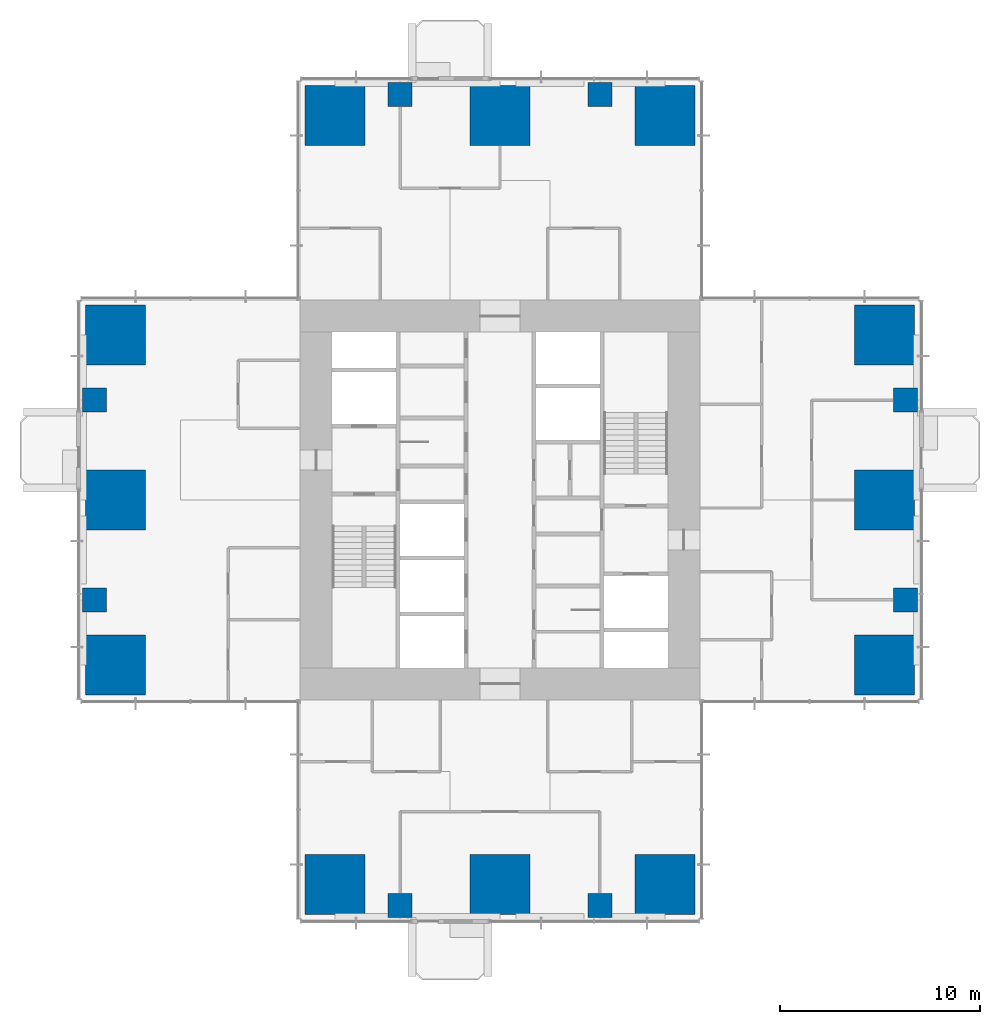
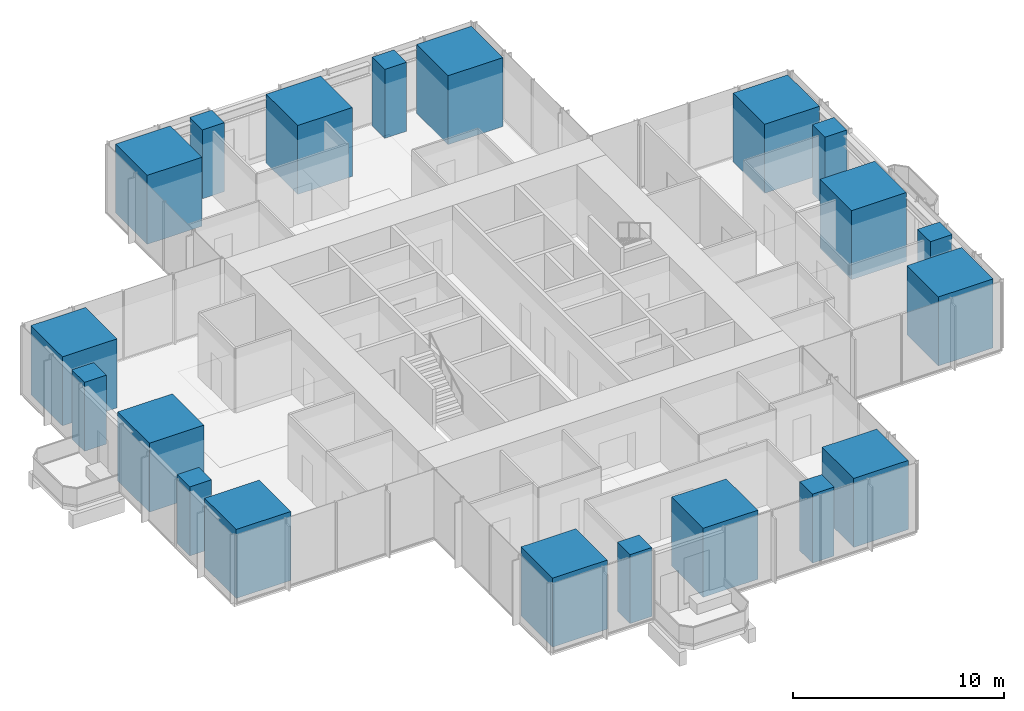
# One storey, part 1 of 13: 20 columns.
"""IFC4 building model written with IfcOpenShell, lengths in metres."""

from ifc_helpers import new_model, si_unit, direction, frame, origin, origin_2d, place, context, subcontext, project, spatial, rectangle, extrude, material, material_profile, profile_set, type_object, element, save


model = new_model("IFC4")

# Units and contexts
model_context = context("Model", 3, precision=1e-05, world=origin(), true_north=direction((0.0, 1.0)))
body_context = subcontext(model_context, "Body", "Model", "MODEL_VIEW")
ifc_project = project(units=[si_unit("LENGTHUNIT", "METRE"), si_unit("AREAUNIT", "SQUARE_METRE"), si_unit("VOLUMEUNIT", "CUBIC_METRE"), si_unit("PLANEANGLEUNIT", "RADIAN"), si_unit("MASSUNIT", "GRAM", prefix="KILO")], contexts=[model_context])

# Site, building, storey
site_placement = place(None, origin())
site = spatial("IfcSite", under=ifc_project, at=site_placement, CompositionType="ELEMENT")
building_placement = place(site_placement, origin())
building = spatial("IfcBuilding", under=site, at=building_placement, Name="Svetlomir Tower", CompositionType="ELEMENT")
storey_placement = place(building_placement, frame((0.0, 0.0, 100.5)))
storey = spatial("IfcBuildingStorey", under=building, at=storey_placement, Name="L23", CompositionType="ELEMENT", Elevation=100.5)

# Columns
ifc_material_1 = material(Name="Concrete C60/75", Category="concrete")
ifc_material_profile_1 = material_profile(ifc_material_1, rectangle(XDim=1.199951171875, YDim=1.199951171875, at=origin_2d()), Name="RC 1200x1200")
ifc_profile_set_1 = profile_set([ifc_material_profile_1], Name="Concrete C60/75")
column_type_1 = type_object("IfcColumnType", Name="COLUMN RC 1200x1200", PredefinedType="COLUMN", material=ifc_profile_set_1)
for number, where, z_axis, x_axis, name in (
    (1, (16.0, 0.699951171875, 0.0), (0.0, 0.0, 1.0), (1.0, 0.0, 0.0), "Column 16/0 L23"),
    (2, (26.0, 0.699951171875, 0.0), (0.0, 0.0, 1.0), (1.0, 0.0, 0.0), "Column 26/0 L23"),
    (3, (0.699951171875, 16.0, 0.0), (0.0, 0.0, 1.0), (1.0, 0.0, 0.0), "Column 0/16 L23"),
    (4, (41.300048828125, 16.0, 0.0), (0.0, 0.0, 1.0), (1.0, 0.0, 0.0), "Column 42/16 L23"),
    (5, (0.699951171875, 26.0, 0.0), (0.0, 0.0, 1.0), (1.0, 0.0, 0.0), "Column 0/26 L23"),
    (6, (41.300048828125, 26.0, 0.0), (0.0, 0.0, 1.0), (1.0, 0.0, 0.0), "Column 42/26 L23"),
    (7, (16.0, 41.300048828125, 0.0), (0.0, 0.0, 1.0), (1.0, 0.0, 0.0), "Column 16/42 L23"),
    (8, (26.0, 41.300048828125, 0.0), (0.0, 0.0, 1.0), (1.0, 0.0, 0.0), "Column 26/42 L23"),
):
    element("IfcColumn", number, at=place(storey_placement, frame(where, z_axis=z_axis, x_axis=x_axis)), inside=storey, type_object=column_type_1, Name=name, PredefinedType="COLUMN", context=body_context, shape_type="SweptSolid", body=[
        extrude(rectangle(XDim=1.199951171875, YDim=1.199951171875, at=origin_2d()), origin(), (0.0, 0.0, 1.0), 4.0),
    ])
ifc_material_2 = material(Name="Concrete C60/75", Category="concrete")
ifc_material_profile_2 = material_profile(ifc_material_2, rectangle(XDim=3.0, YDim=3.0, at=origin_2d()), Name="RC 3000x3000")
ifc_profile_set_2 = profile_set([ifc_material_profile_2], Name="Concrete C60/75")
column_type_2 = type_object("IfcColumnType", Name="COLUMN RC 3000x3000", PredefinedType="COLUMN", material=ifc_profile_set_2)
for number, where, z_axis, x_axis, name in (
    (9, (12.75, 1.75, 0.0), (0.0, 0.0, 1.0), (1.0, 0.0, 0.0), "Column 11/0 L23"),
    (10, (21.0, 1.75, 0.0), (0.0, 0.0, 1.0), (1.0, 0.0, 0.0), "Column 21/0 L23"),
    (11, (29.25, 1.75, 0.0), (0.0, 0.0, 1.0), (1.0, 0.0, 0.0), "Column 31/0 L23"),
    (12, (1.75, 12.75, 0.0), (0.0, 0.0, 1.0), (1.0, 0.0, 0.0), "Column 0/11 L23"),
    (13, (40.25, 12.75, 0.0), (0.0, 0.0, 1.0), (1.0, 0.0, 0.0), "Column 42/11 L23"),
    (14, (1.75, 21.0, 0.0), (0.0, 0.0, 1.0), (1.0, 0.0, 0.0), "Column 0/21 L23"),
    (15, (40.25, 21.0, 0.0), (0.0, 0.0, 1.0), (1.0, 0.0, 0.0), "Column 42/21 L23"),
    (16, (1.75, 29.25, 0.0), (0.0, 0.0, 1.0), (1.0, 0.0, 0.0), "Column 0/31 L23"),
    (17, (40.25, 29.25, 0.0), (0.0, 0.0, 1.0), (1.0, 0.0, 0.0), "Column 42/31 L23"),
    (18, (12.75, 40.25, 0.0), (0.0, 0.0, 1.0), (1.0, 0.0, 0.0), "Column 11/42 L23"),
    (19, (21.0, 40.25, 0.0), (0.0, 0.0, 1.0), (1.0, 0.0, 0.0), "Column 21/42 L23"),
    (20, (29.25, 40.25, 0.0), (0.0, 0.0, 1.0), (1.0, 0.0, 0.0), "Column 31/42 L23"),
):
    element("IfcColumn", number, at=place(storey_placement, frame(where, z_axis=z_axis, x_axis=x_axis)), inside=storey, type_object=column_type_2, Name=name, PredefinedType="COLUMN", context=body_context, shape_type="SweptSolid", body=[
        extrude(rectangle(XDim=3.0, YDim=3.0, at=origin_2d()), origin(), (0.0, 0.0, 1.0), 4.0),
    ])

save(model, "model.ifc")
